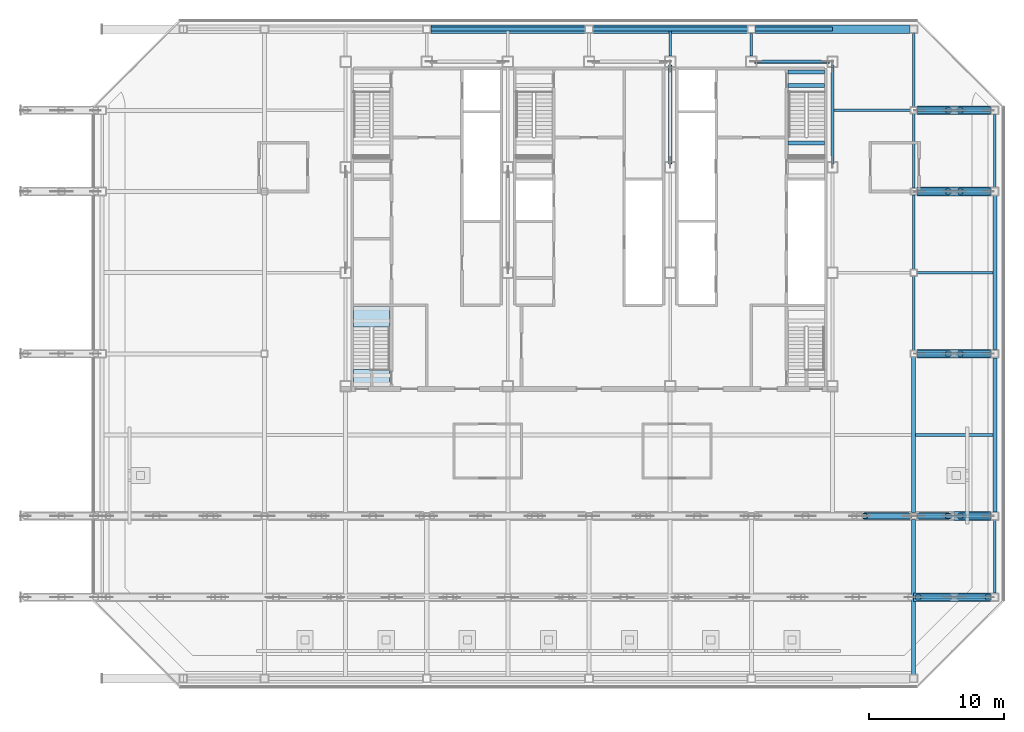
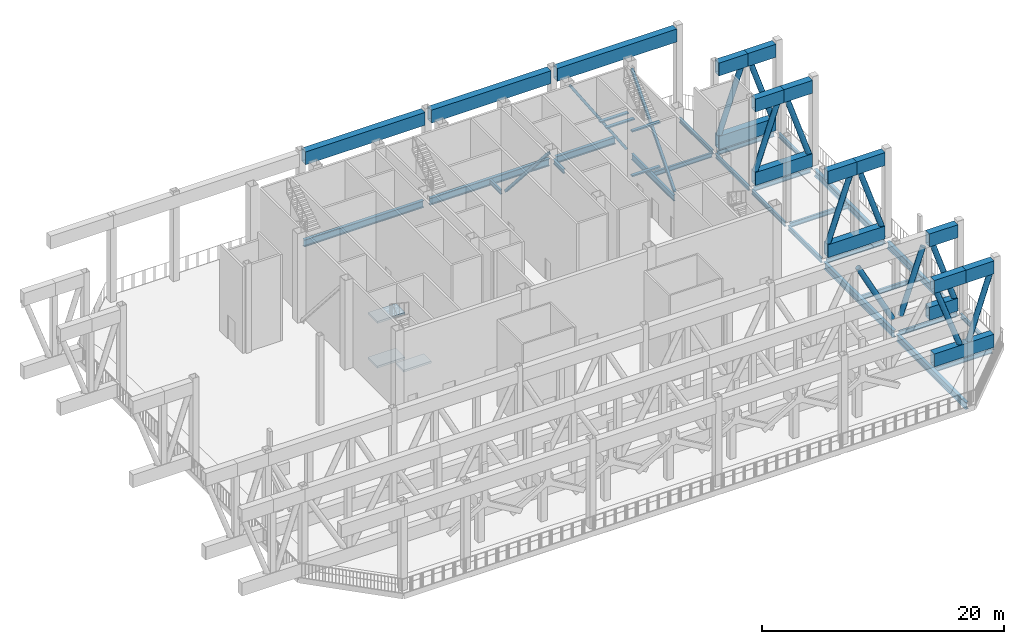
# One storey, part 5 of 22: 45 beams, 14 members, 3 slabs, 1 element without a shape of its own.
"""IFC4 building model written with IfcOpenShell, lengths in metres."""

from ifc_helpers import new_model, si_unit, direction, frame, origin, origin_2d, place, context, subcontext, project, spatial, polyline, rectangle, hollow_rectangle, hollow_circle, i_section, outline, extrude, material, layer, layer_set, material_profile, profile_set, type_object, element, aggregate, save


model = new_model("IFC4")

# Units and contexts
model_context = context("Model", 3, precision=1e-05, world=origin(), true_north=direction((0.0, 1.0)))
body_context = subcontext(model_context, "Body", "Model", "MODEL_VIEW")
ifc_project = project(units=[si_unit("LENGTHUNIT", "METRE"), si_unit("AREAUNIT", "SQUARE_METRE"), si_unit("VOLUMEUNIT", "CUBIC_METRE"), si_unit("PLANEANGLEUNIT", "RADIAN"), si_unit("MASSUNIT", "GRAM", prefix="KILO")], contexts=[model_context])

# Site, building, storey
site_placement = place(None, origin())
site = spatial("IfcSite", under=ifc_project, at=site_placement, CompositionType="ELEMENT")
building_placement = place(site_placement, origin())
building = spatial("IfcBuilding", under=site, at=building_placement, Name="Sorahane Residences", CompositionType="ELEMENT")
storey_placement = place(building_placement, frame((0.0, 0.0, 281.800048828125)))
storey = spatial("IfcBuildingStorey", under=building, at=storey_placement, Name="L67", CompositionType="ELEMENT", Elevation=281.800048828125)

# Members
ifc_material_1 = material(Name="Steel Q355B", Category="steel")
ifc_material_profile_1 = material_profile(ifc_material_1, hollow_rectangle(XDim=0.25, YDim=0.25, WallThickness=0.013916015625, InnerFilletRadius=0.007080078125, OuterFilletRadius=0.02099609375, at=origin_2d()), Name="RHS 250x250x14")
ifc_profile_set_1 = profile_set([ifc_material_profile_1], Name="Steel Q355B")
member_type_1 = type_object("IfcMemberType", Name="Core brace RHS 250x250x14 Q355B", PredefinedType="BRACE", material=ifc_profile_set_1)
member_1_placement = place(storey_placement, frame((41.662841796875, 45.60009765625, 0.0283203125), z_axis=(-0.544988350595, 0.0, 0.838443616301), x_axis=(0.0, -1.0, 0.0)))
element("IfcMember", 1, at=member_1_placement, inside=storey, type_object=member_type_1, Name="Core brace L67 y45.6-6", PredefinedType="BRACE", context=body_context, shape_type="SweptSolid", body=[
    extrude(hollow_rectangle(XDim=0.25, YDim=0.25, WallThickness=0.013916015625, InnerFilletRadius=0.007080078125, OuterFilletRadius=0.02099609375, at=origin_2d()), origin(), (0.0, 0.0, 1.0), 9.772216796875),
])
for number, where, z_axis, x_axis, name in (
    (2, (42.0, 38.1435546875, 0.060546875), (0.0, 0.658504607869, 0.752576694707), (-1.0, 0.0, 0.0), "Core brace L67 x42-3"),
    (3, (30.0, 45.25634765625, 0.060546875), (0.0, -0.658504607869, 0.752576694707), (1.0, 0.0, 0.0), "Core brace L67 x30-2"),
):
    element("IfcMember", number, at=place(storey_placement, frame(where, z_axis=z_axis, x_axis=x_axis)), inside=storey, type_object=member_type_1, Name=name, PredefinedType="BRACE", context=body_context, shape_type="SweptSolid", body=[
        extrude(hollow_rectangle(XDim=0.25, YDim=0.25, WallThickness=0.013916015625, InnerFilletRadius=0.007080078125, OuterFilletRadius=0.02099609375, at=origin_2d()), origin(), (0.0, 0.0, 1.0), 10.801513671875),
    ])

# Beams
ifc_material_2 = material(Name="Concrete C40", Category="concrete")
ifc_material_profile_2 = material_profile(ifc_material_2, rectangle(XDim=0.300048828125, YDim=0.139892578125, at=origin_2d()), Name="300x140")
ifc_profile_set_2 = profile_set([ifc_material_profile_2], Name="Concrete C40")
beam_type_1 = type_object("IfcBeamType", Name="RC landing beam 300 x 140 Concrete C40", PredefinedType="BEAM", material=ifc_profile_set_2)
for number, where, z_axis, x_axis, name in (
    (4, (38.699951171875, 39.590087890625, 1.97998046875), (1.0, 0.0, 0.0), (0.0, 1.0, 0.0), "Landing beam"),
    (5, (38.699951171875, 43.85009765625, 4.22998046875), (1.0, 0.0, 0.0), (0.0, 1.0, 0.0), "Landing beam"),
    (6, (38.699951171875, 44.85009765625, 4.22998046875), (1.0, 0.0, 0.0), (0.0, 1.0, 0.0), "Landing beam"),
    (7, (38.699951171875, 39.590087890625, 6.47998046875), (1.0, 0.0, 0.0), (0.0, 1.0, 0.0), "Landing beam"),
):
    element("IfcBeam", number, at=place(storey_placement, frame(where, z_axis=z_axis, x_axis=x_axis)), inside=storey, type_object=beam_type_1, Name=name, PredefinedType="BEAM", context=body_context, shape_type="SweptSolid", body=[
        extrude(rectangle(XDim=0.300048828125, YDim=0.139892578125, at=origin_2d()), origin(), (0.0, 0.0, 1.0), 2.699951171875),
    ])
ifc_material_3 = material(Name="Steel Q355B", Category="steel")
ifc_material_profile_3 = material_profile(ifc_material_3, i_section(OverallWidth=0.199951171875, OverallDepth=0.449951171875, WebThickness=0.009033203125, FlangeThickness=0.013916015625, FilletRadius=0.02001953125, at=origin_2d()), Name="HN 450x200x9x14")
ifc_profile_set_3 = profile_set([ifc_material_profile_3], Name="Steel Q355B")
beam_type_2 = type_object("IfcBeamType", Name="Steel floor beam HN 450x200x9x14 Q355B", PredefinedType="BEAM", material=ifc_profile_set_3)
for number, where, z_axis, x_axis, name in (
    (8, (48.25, 12.0, -0.525146484375), (1.0, 0.0, 0.0), (0.0, 1.0, 0.0), "Beam L67 010"),
    (9, (48.25, 24.0, -0.525146484375), (1.0, 0.0, 0.0), (0.0, 1.0, 0.0), "Beam L67 012"),
    (10, (48.25, 36.0, -0.525146484375), (1.0, 0.0, 0.0), (0.0, 1.0, 0.0), "Beam L67 014"),
):
    element("IfcBeam", number, at=place(storey_placement, frame(where, z_axis=z_axis, x_axis=x_axis)), inside=storey, type_object=beam_type_2, Name=name, PredefinedType="BEAM", context=body_context, shape_type="SweptSolid", body=[
        extrude(i_section(OverallWidth=0.199951171875, OverallDepth=0.449951171875, WebThickness=0.009033203125, FlangeThickness=0.013916015625, FilletRadius=0.02001953125, at=origin_2d()), origin(), (0.0, 0.0, 1.0), 5.449951171875),
    ])
beam_1_placement = place(storey_placement, frame((30.0, 46.0, -0.525146484375), z_axis=(0.0, 1.0, 0.0), x_axis=(-1.0, 0.0, 0.0)))
element("IfcBeam", 11, at=beam_1_placement, inside=storey, type_object=beam_type_2, Name="Beam L67 049", PredefinedType="BEAM", context=body_context, shape_type="SweptSolid", body=[
    extrude(i_section(OverallWidth=0.199951171875, OverallDepth=0.449951171875, WebThickness=0.009033203125, FlangeThickness=0.013916015625, FilletRadius=0.02001953125, at=origin_2d()), origin(), (0.0, 0.0, 1.0), 1.85009765625),
])
beam_2_placement = place(storey_placement, frame((36.0, 46.0, -0.525146484375), z_axis=(0.0, 1.0, 0.0), x_axis=(-1.0, 0.0, 0.0)))
element("IfcBeam", 12, at=beam_2_placement, inside=storey, type_object=beam_type_2, Name="Beam L67 051", PredefinedType="BEAM", context=body_context, shape_type="SweptSolid", body=[
    extrude(i_section(OverallWidth=0.199951171875, OverallDepth=0.449951171875, WebThickness=0.009033203125, FlangeThickness=0.013916015625, FilletRadius=0.02001953125, at=origin_2d()), origin(), (0.0, 0.0, 1.0), 1.699951171875),
])
for number, where, z_axis, x_axis, name in (
    (13, (48.0, 24.25, -0.525146484375), (0.0, 1.0, 0.0), (-1.0, 0.0, 0.0), "Beam L67 058"),
    (14, (48.0, 30.25, -0.525146484375), (0.0, 1.0, 0.0), (-1.0, 0.0, 0.0), "Beam L67 059"),
    (15, (48.0, 36.25, -0.525146484375), (0.0, 1.0, 0.0), (-1.0, 0.0, 0.0), "Beam L67 060"),
):
    element("IfcBeam", number, at=place(storey_placement, frame(where, z_axis=z_axis, x_axis=x_axis)), inside=storey, type_object=beam_type_2, Name=name, PredefinedType="BEAM", context=body_context, shape_type="SweptSolid", body=[
        extrude(i_section(OverallWidth=0.199951171875, OverallDepth=0.449951171875, WebThickness=0.009033203125, FlangeThickness=0.013916015625, FilletRadius=0.02001953125, at=origin_2d()), origin(), (0.0, 0.0, 1.0), 5.5),
    ])
beam_3_placement = place(storey_placement, frame((48.0, 42.25, -0.525146484375), z_axis=(0.0, 1.0, 0.0), x_axis=(-1.0, 0.0, 0.0)))
element("IfcBeam", 16, at=beam_3_placement, inside=storey, type_object=beam_type_2, Name="Beam L67 061", PredefinedType="BEAM", context=body_context, shape_type="SweptSolid", body=[
    extrude(i_section(OverallWidth=0.199951171875, OverallDepth=0.449951171875, WebThickness=0.009033203125, FlangeThickness=0.013916015625, FilletRadius=0.02001953125, at=origin_2d()), origin(), (0.0, 0.0, 1.0), 5.449951171875),
])
for number, where, z_axis, x_axis, name in (
    (17, (54.0, 6.300048828125, -0.525146484375), (0.0, 1.0, 0.0), (-1.0, 0.0, 0.0), "Beam L67 062"),
    (18, (54.0, 36.300048828125, -0.525146484375), (0.0, 1.0, 0.0), (-1.0, 0.0, 0.0), "Beam L67 065"),
):
    element("IfcBeam", number, at=place(storey_placement, frame(where, z_axis=z_axis, x_axis=x_axis)), inside=storey, type_object=beam_type_2, Name=name, PredefinedType="BEAM", context=body_context, shape_type="SweptSolid", body=[
        extrude(i_section(OverallWidth=0.199951171875, OverallDepth=0.449951171875, WebThickness=0.009033203125, FlangeThickness=0.013916015625, FilletRadius=0.02001953125, at=origin_2d()), origin(), (0.0, 0.0, 1.0), 5.39990234375),
    ])
beam_4_placement = place(storey_placement, frame((48.14990234375, 6.0, -0.525146484375), z_axis=(1.0, 0.0, 0.0), x_axis=(0.0, 1.0, 0.0)))
element("IfcBeam", 19, at=beam_4_placement, inside=storey, type_object=beam_type_2, Name="Beam L67 074", PredefinedType="BEAM", context=body_context, shape_type="SweptSolid", body=[
    extrude(i_section(OverallWidth=0.199951171875, OverallDepth=0.449951171875, WebThickness=0.009033203125, FlangeThickness=0.013916015625, FilletRadius=0.02001953125, at=origin_2d()), origin(), (0.0, 0.0, 1.0), 5.550048828125),
])
beam_5_placement = place(storey_placement, frame((48.14990234375, 18.0, -0.525146484375), z_axis=(1.0, 0.0, 0.0), x_axis=(0.0, 1.0, 0.0)))
element("IfcBeam", 20, at=beam_5_placement, inside=storey, type_object=beam_type_2, Name="Beam L67 081", PredefinedType="BEAM", context=body_context, shape_type="SweptSolid", body=[
    extrude(i_section(OverallWidth=0.199951171875, OverallDepth=0.449951171875, WebThickness=0.009033203125, FlangeThickness=0.013916015625, FilletRadius=0.02001953125, at=origin_2d()), origin(), (0.0, 0.0, 1.0), 5.7001953125),
])
beam_6_placement = place(storey_placement, frame((48.25, 30.0, -0.525146484375), z_axis=(1.0, 0.0, 0.0), x_axis=(0.0, 1.0, 0.0)))
element("IfcBeam", 21, at=beam_6_placement, inside=storey, type_object=beam_type_2, Name="Beam L67 085", PredefinedType="BEAM", context=body_context, shape_type="SweptSolid", body=[
    extrude(i_section(OverallWidth=0.199951171875, OverallDepth=0.449951171875, WebThickness=0.009033203125, FlangeThickness=0.013916015625, FilletRadius=0.02001953125, at=origin_2d()), origin(), (0.0, 0.0, 1.0), 5.60009765625),
])
beam_7_placement = place(storey_placement, frame((42.10009765625, 42.0, -0.525146484375), z_axis=(1.0, 0.0, 0.0), x_axis=(0.0, 1.0, 0.0)))
element("IfcBeam", 22, at=beam_7_placement, inside=storey, type_object=beam_type_2, Name="Beam L67 088", PredefinedType="BEAM", context=body_context, shape_type="SweptSolid", body=[
    extrude(i_section(OverallWidth=0.199951171875, OverallDepth=0.449951171875, WebThickness=0.009033203125, FlangeThickness=0.013916015625, FilletRadius=0.02001953125, at=origin_2d()), origin(), (0.0, 0.0, 1.0), 5.64990234375),
])
beam_8_placement = place(storey_placement, frame((48.25, 42.0, -0.525146484375), z_axis=(1.0, 0.0, 0.0), x_axis=(0.0, 1.0, 0.0)))
element("IfcBeam", 23, at=beam_8_placement, inside=storey, type_object=beam_type_2, Name="Beam L67 089", PredefinedType="BEAM", context=body_context, shape_type="SweptSolid", body=[
    extrude(i_section(OverallWidth=0.199951171875, OverallDepth=0.449951171875, WebThickness=0.009033203125, FlangeThickness=0.013916015625, FilletRadius=0.02001953125, at=origin_2d()), origin(), (0.0, 0.0, 1.0), 5.449951171875),
])
ifc_material_4 = material(Name="Steel Q355B", Category="steel")
ifc_material_profile_4 = material_profile(ifc_material_4, i_section(OverallWidth=0.199951171875, OverallDepth=0.60009765625, WebThickness=0.010986328125, FlangeThickness=0.01708984375, FilletRadius=0.02392578125, at=origin_2d()), Name="HN 600x200x11x17")
ifc_profile_set_4 = profile_set([ifc_material_profile_4], Name="Steel Q355B")
beam_type_3 = type_object("IfcBeamType", Name="Steel floor beam HN 600x200x11x17 Q355B", PredefinedType="BEAM", material=ifc_profile_set_4)
beam_9_placement = place(storey_placement, frame((42.0, 38.199951171875, -0.60009765625), z_axis=(0.0, 1.0, 0.0), x_axis=(-1.0, 0.0, 0.0)))
element("IfcBeam", 24, at=beam_9_placement, inside=storey, type_object=beam_type_3, Name="Beam L67 055", PredefinedType="BEAM", context=body_context, shape_type="SweptSolid", body=[
    extrude(i_section(OverallWidth=0.199951171875, OverallDepth=0.60009765625, WebThickness=0.010986328125, FlangeThickness=0.01708984375, FilletRadius=0.02392578125, at=origin_2d()), origin(), (0.0, 0.0, 1.0), 7.0),
])
ifc_material_5 = material(Name="Steel Q355B", Category="steel")
ifc_material_profile_5 = material_profile(ifc_material_5, i_section(OverallWidth=0.300048828125, OverallDepth=0.699951171875, WebThickness=0.012939453125, FlangeThickness=0.02392578125, FilletRadius=0.028076171875, at=origin_2d()), Name="HN 700x300x13x24")
ifc_profile_set_5 = profile_set([ifc_material_profile_5], Name="Steel Q355B")
beam_type_4 = type_object("IfcBeamType", Name="Steel floor beam HN 700x300x13x24 Q355B", PredefinedType="BEAM", material=ifc_profile_set_5)
for number, where, z_axis, x_axis, name in (
    (25, (12.300048828125, 48.0, -0.650146484375), (1.0, 0.0, 0.0), (0.0, 1.0, 0.0), "Beam L67 017"),
    (26, (24.300048828125, 48.0, -0.650146484375), (1.0, 0.0, 0.0), (0.0, 1.0, 0.0), "Beam L67 018"),
):
    element("IfcBeam", number, at=place(storey_placement, frame(where, z_axis=z_axis, x_axis=x_axis)), inside=storey, type_object=beam_type_4, Name=name, PredefinedType="BEAM", context=body_context, shape_type="SweptSolid", body=[
        extrude(i_section(OverallWidth=0.300048828125, OverallDepth=0.699951171875, WebThickness=0.012939453125, FlangeThickness=0.02392578125, FilletRadius=0.028076171875, at=origin_2d()), origin(), (0.0, 0.0, 1.0), 11.39990234375),
    ])
beam_10_placement = place(storey_placement, frame((36.300048828125, 48.0, -0.650146484375), z_axis=(1.0, 0.0, 0.0), x_axis=(0.0, 1.0, 0.0)))
element("IfcBeam", 27, at=beam_10_placement, inside=storey, type_object=beam_type_4, Name="Beam L67 019", PredefinedType="BEAM", context=body_context, shape_type="SweptSolid", body=[
    extrude(i_section(OverallWidth=0.300048828125, OverallDepth=0.699951171875, WebThickness=0.012939453125, FlangeThickness=0.02392578125, FilletRadius=0.028076171875, at=origin_2d()), origin(), (0.0, 0.0, 1.0), 5.699951171875),
])
beam_11_placement = place(storey_placement, frame((48.0, 0.300048828125, -0.650146484375), z_axis=(0.0, 1.0, 0.0), x_axis=(-1.0, 0.0, 0.0)))
element("IfcBeam", 28, at=beam_11_placement, inside=storey, type_object=beam_type_4, Name="Beam L67 056", PredefinedType="BEAM", context=body_context, shape_type="SweptSolid", body=[
    extrude(i_section(OverallWidth=0.300048828125, OverallDepth=0.699951171875, WebThickness=0.012939453125, FlangeThickness=0.02392578125, FilletRadius=0.028076171875, at=origin_2d()), origin(), (0.0, 0.0, 1.0), 11.449951171875),
])
beam_12_placement = place(storey_placement, frame((48.0, 12.25, -0.650146484375), z_axis=(0.0, 1.0, 0.0), x_axis=(-1.0, 0.0, 0.0)))
element("IfcBeam", 29, at=beam_12_placement, inside=storey, type_object=beam_type_4, Name="Beam L67 057", PredefinedType="BEAM", context=body_context, shape_type="SweptSolid", body=[
    extrude(i_section(OverallWidth=0.300048828125, OverallDepth=0.699951171875, WebThickness=0.012939453125, FlangeThickness=0.02392578125, FilletRadius=0.028076171875, at=origin_2d()), origin(), (0.0, 0.0, 1.0), 11.5),
])
for number, where, z_axis, x_axis, name in (
    (30, (54.0, 12.300048828125, -0.650146484375), (0.0, 1.0, 0.0), (-1.0, 0.0, 0.0), "Beam L67 063"),
    (31, (54.0, 24.300048828125, -0.650146484375), (0.0, 1.0, 0.0), (-1.0, 0.0, 0.0), "Beam L67 064"),
):
    element("IfcBeam", number, at=place(storey_placement, frame(where, z_axis=z_axis, x_axis=x_axis)), inside=storey, type_object=beam_type_4, Name=name, PredefinedType="BEAM", context=body_context, shape_type="SweptSolid", body=[
        extrude(i_section(OverallWidth=0.300048828125, OverallDepth=0.699951171875, WebThickness=0.012939453125, FlangeThickness=0.02392578125, FilletRadius=0.028076171875, at=origin_2d()), origin(), (0.0, 0.0, 1.0), 11.39990234375),
    ])
ifc_material_6 = material(Name="Steel Q420GJ", Category="steel")
ifc_material_profile_6 = material_profile(ifc_material_6, hollow_rectangle(XDim=0.64990234375, YDim=1.300048828125, WallThickness=0.044921875, at=origin_2d()), Name="BOX 1300x650x45")
ifc_profile_set_6 = profile_set([ifc_material_profile_6], Name="Steel Q420GJ")
beam_type_5 = type_object("IfcBeamType", Name="Truss chord BOX 1300x650x45 Q420GJ", PredefinedType="BEAM", material=ifc_profile_set_6)
beam_13_placement = place(storey_placement, frame((48.0, 6.0, 0.64990234375), z_axis=(1.0, 0.0, 0.0), x_axis=(0.0, 1.0, 0.0)))
element("IfcBeam", 32, at=beam_13_placement, inside=storey, type_object=beam_type_5, Name="Truss chord L67", PredefinedType="BEAM", context=body_context, shape_type="SweptSolid", body=[
    extrude(hollow_rectangle(XDim=0.64990234375, YDim=1.300048828125, WallThickness=0.044921875, at=origin_2d()), origin(), (0.0, 0.0, 1.0), 5.699951171875),
])
beam_14_placement = place(storey_placement, frame((48.0, 6.0, 8.050048828125), z_axis=(1.0, 0.0, 0.0), x_axis=(0.0, 1.0, 0.0)))
element("IfcBeam", 33, at=beam_14_placement, inside=storey, type_object=beam_type_5, Name="Truss chord L67", PredefinedType="BEAM", context=body_context, shape_type="SweptSolid", body=[
    extrude(hollow_rectangle(XDim=0.64990234375, YDim=1.300048828125, WallThickness=0.044921875, at=origin_2d()), origin(), (0.0, 0.0, 1.0), 3.0),
])
for number, where, z_axis, x_axis, name in (
    (34, (51.0, 6.0, 8.050048828125), (1.0, 0.0, 0.0), (0.0, 1.0, 0.0), "Truss chord L67"),
    (35, (51.0, 12.0, 0.64990234375), (1.0, 0.0, 0.0), (0.0, 1.0, 0.0), "Truss chord L67"),
    (36, (51.0, 12.0, 8.050048828125), (1.0, 0.0, 0.0), (0.0, 1.0, 0.0), "Truss chord L67"),
):
    element("IfcBeam", number, at=place(storey_placement, frame(where, z_axis=z_axis, x_axis=x_axis)), inside=storey, type_object=beam_type_5, Name=name, PredefinedType="BEAM", context=body_context, shape_type="SweptSolid", body=[
        extrude(hollow_rectangle(XDim=0.64990234375, YDim=1.300048828125, WallThickness=0.044921875, at=origin_2d()), origin(), (0.0, 0.0, 1.0), 2.699951171875),
    ])
beam_15_placement = place(storey_placement, frame((48.25, 24.0, 0.64990234375), z_axis=(1.0, 0.0, 0.0), x_axis=(0.0, 1.0, 0.0)))
element("IfcBeam", 37, at=beam_15_placement, inside=storey, type_object=beam_type_5, Name="Truss chord L67", PredefinedType="BEAM", context=body_context, shape_type="SweptSolid", body=[
    extrude(hollow_rectangle(XDim=0.64990234375, YDim=1.300048828125, WallThickness=0.044921875, at=origin_2d()), origin(), (0.0, 0.0, 1.0), 5.449951171875),
])
beam_16_placement = place(storey_placement, frame((48.25, 24.0, 8.050048828125), z_axis=(1.0, 0.0, 0.0), x_axis=(0.0, 1.0, 0.0)))
element("IfcBeam", 38, at=beam_16_placement, inside=storey, type_object=beam_type_5, Name="Truss chord L67", PredefinedType="BEAM", context=body_context, shape_type="SweptSolid", body=[
    extrude(hollow_rectangle(XDim=0.64990234375, YDim=1.300048828125, WallThickness=0.044921875, at=origin_2d()), origin(), (0.0, 0.0, 1.0), 2.75),
])
beam_17_placement = place(storey_placement, frame((51.0, 24.0, 8.050048828125), z_axis=(1.0, 0.0, 0.0), x_axis=(0.0, 1.0, 0.0)))
element("IfcBeam", 39, at=beam_17_placement, inside=storey, type_object=beam_type_5, Name="Truss chord L67", PredefinedType="BEAM", context=body_context, shape_type="SweptSolid", body=[
    extrude(hollow_rectangle(XDim=0.64990234375, YDim=1.300048828125, WallThickness=0.044921875, at=origin_2d()), origin(), (0.0, 0.0, 1.0), 2.699951171875),
])
beam_18_placement = place(storey_placement, frame((48.25, 36.0, 0.64990234375), z_axis=(1.0, 0.0, 0.0), x_axis=(0.0, 1.0, 0.0)))
element("IfcBeam", 40, at=beam_18_placement, inside=storey, type_object=beam_type_5, Name="Truss chord L67", PredefinedType="BEAM", context=body_context, shape_type="SweptSolid", body=[
    extrude(hollow_rectangle(XDim=0.64990234375, YDim=1.300048828125, WallThickness=0.044921875, at=origin_2d()), origin(), (0.0, 0.0, 1.0), 5.449951171875),
])
beam_19_placement = place(storey_placement, frame((48.25, 36.0, 8.050048828125), z_axis=(1.0, 0.0, 0.0), x_axis=(0.0, 1.0, 0.0)))
element("IfcBeam", 41, at=beam_19_placement, inside=storey, type_object=beam_type_5, Name="Truss chord L67", PredefinedType="BEAM", context=body_context, shape_type="SweptSolid", body=[
    extrude(hollow_rectangle(XDim=0.64990234375, YDim=1.300048828125, WallThickness=0.044921875, at=origin_2d()), origin(), (0.0, 0.0, 1.0), 2.75),
])
beam_20_placement = place(storey_placement, frame((51.0, 36.0, 8.050048828125), z_axis=(1.0, 0.0, 0.0), x_axis=(0.0, 1.0, 0.0)))
element("IfcBeam", 42, at=beam_20_placement, inside=storey, type_object=beam_type_5, Name="Truss chord L67", PredefinedType="BEAM", context=body_context, shape_type="SweptSolid", body=[
    extrude(hollow_rectangle(XDim=0.64990234375, YDim=1.300048828125, WallThickness=0.044921875, at=origin_2d()), origin(), (0.0, 0.0, 1.0), 2.699951171875),
])
beam_21_placement = place(storey_placement, frame((48.25, 42.0, 0.64990234375), z_axis=(1.0, 0.0, 0.0), x_axis=(0.0, 1.0, 0.0)))
element("IfcBeam", 43, at=beam_21_placement, inside=storey, type_object=beam_type_5, Name="Truss chord L67", PredefinedType="BEAM", context=body_context, shape_type="SweptSolid", body=[
    extrude(hollow_rectangle(XDim=0.64990234375, YDim=1.300048828125, WallThickness=0.044921875, at=origin_2d()), origin(), (0.0, 0.0, 1.0), 5.449951171875),
])
beam_22_placement = place(storey_placement, frame((48.25, 42.0, 8.050048828125), z_axis=(1.0, 0.0, 0.0), x_axis=(0.0, 1.0, 0.0)))
element("IfcBeam", 44, at=beam_22_placement, inside=storey, type_object=beam_type_5, Name="Truss chord L67", PredefinedType="BEAM", context=body_context, shape_type="SweptSolid", body=[
    extrude(hollow_rectangle(XDim=0.64990234375, YDim=1.300048828125, WallThickness=0.044921875, at=origin_2d()), origin(), (0.0, 0.0, 1.0), 2.75),
])
beam_23_placement = place(storey_placement, frame((51.0, 42.0, 8.050048828125), z_axis=(1.0, 0.0, 0.0), x_axis=(0.0, 1.0, 0.0)))
element("IfcBeam", 45, at=beam_23_placement, inside=storey, type_object=beam_type_5, Name="Truss chord L67", PredefinedType="BEAM", context=body_context, shape_type="SweptSolid", body=[
    extrude(hollow_rectangle(XDim=0.64990234375, YDim=1.300048828125, WallThickness=0.044921875, at=origin_2d()), origin(), (0.0, 0.0, 1.0), 2.699951171875),
])
for number, where, z_axis, x_axis, name in (
    (46, (12.300048828125, 48.0, 8.050048828125), (1.0, 0.0, 0.0), (0.0, 1.0, 0.0), "Truss chord L67"),
    (47, (24.300048828125, 48.0, 8.050048828125), (1.0, 0.0, 0.0), (0.0, 1.0, 0.0), "Truss chord L67"),
    (48, (36.300048828125, 48.0, 8.050048828125), (1.0, 0.0, 0.0), (0.0, 1.0, 0.0), "Truss chord L67"),
):
    element("IfcBeam", number, at=place(storey_placement, frame(where, z_axis=z_axis, x_axis=x_axis)), inside=storey, type_object=beam_type_5, Name=name, PredefinedType="BEAM", context=body_context, shape_type="SweptSolid", body=[
        extrude(hollow_rectangle(XDim=0.64990234375, YDim=1.300048828125, WallThickness=0.044921875, at=origin_2d()), origin(), (0.0, 0.0, 1.0), 11.39990234375),
    ])

# Members
ifc_material_7 = material(Name="Steel Q420GJ", Category="steel")
ifc_material_profile_7 = material_profile(ifc_material_7, hollow_circle(Radius=0.25, WallThickness=0.02490234375, at=origin_2d()), Name="CHS 500x25")
ifc_profile_set_7 = profile_set([ifc_material_profile_7], Name="Steel Q420GJ")
member_type_2 = type_object("IfcMemberType", Name="Truss diagonal CHS 500x25 Q420GJ", PredefinedType="BRACE", material=ifc_profile_set_7)
member_2_placement = place(storey_placement, frame((48.32666015625, 6.0, 7.448974609375), z_axis=(0.340773547487, 0.0, -0.940145408612), x_axis=(0.0, 1.0, 0.0)))
element("IfcMember", 49, at=member_2_placement, inside=storey, type_object=member_type_2, Name="Truss diagonal L67", PredefinedType="BRACE", context=body_context, shape_type="SweptSolid", body=[
    extrude(hollow_circle(Radius=0.25, WallThickness=0.02490234375, at=origin_2d()), origin(), (0.0, 0.0, 1.0), 6.592529296875),
])
member_3_placement = place(storey_placement, frame((51.43505859375, 6.0, 1.25341796875), z_axis=(0.318357072553, 0.0, 0.947970872103), x_axis=(0.0, 1.0, 0.0)))
element("IfcMember", 50, at=member_3_placement, inside=storey, type_object=member_type_2, Name="Truss diagonal L67", PredefinedType="BRACE", context=body_context, shape_type="SweptSolid", body=[
    extrude(hollow_circle(Radius=0.25, WallThickness=0.02490234375, at=origin_2d()), origin(), (0.0, 0.0, 1.0), 6.532958984375),
])
member_4_placement = place(storey_placement, frame((44.369140625, 12.0, 7.462158203125), z_axis=(0.464156280788, 0.0, -0.885753321758), x_axis=(0.0, 1.0, 0.0)))
element("IfcMember", 51, at=member_4_placement, inside=storey, type_object=member_type_2, Name="Truss diagonal L67", PredefinedType="BRACE", context=body_context, shape_type="SweptSolid", body=[
    extrude(hollow_circle(Radius=0.25, WallThickness=0.02490234375, at=origin_2d()), origin(), (0.0, 0.0, 1.0), 7.027099609375),
])
member_5_placement = place(storey_placement, frame((48.432373046875, 12.0, 1.25244140625), z_axis=(0.325868964591, 0.0, 0.945414944835), x_axis=(0.0, 1.0, 0.0)))
element("IfcMember", 52, at=member_5_placement, inside=storey, type_object=member_type_2, Name="Truss diagonal L67", PredefinedType="BRACE", context=body_context, shape_type="SweptSolid", body=[
    extrude(hollow_circle(Radius=0.25, WallThickness=0.02490234375, at=origin_2d()), origin(), (0.0, 0.0, 1.0), 6.552490234375),
])
member_6_placement = place(storey_placement, frame((51.43505859375, 12.0, 7.446533203125), z_axis=(0.318357072553, 0.0, -0.947970872103), x_axis=(0.0, 1.0, 0.0)))
element("IfcMember", 53, at=member_6_placement, inside=storey, type_object=member_type_2, Name="Truss diagonal L67", PredefinedType="BRACE", context=body_context, shape_type="SweptSolid", body=[
    extrude(hollow_circle(Radius=0.25, WallThickness=0.02490234375, at=origin_2d()), origin(), (0.0, 0.0, 1.0), 6.532958984375),
])
member_7_placement = place(storey_placement, frame((48.432373046875, 24.0, 1.25244140625), z_axis=(0.325868964591, 0.0, 0.945414944835), x_axis=(0.0, 1.0, 0.0)))
element("IfcMember", 54, at=member_7_placement, inside=storey, type_object=member_type_2, Name="Truss diagonal L67", PredefinedType="BRACE", context=body_context, shape_type="SweptSolid", body=[
    extrude(hollow_circle(Radius=0.25, WallThickness=0.02490234375, at=origin_2d()), origin(), (0.0, 0.0, 1.0), 6.552490234375),
])
member_8_placement = place(storey_placement, frame((51.43505859375, 24.0, 7.446533203125), z_axis=(0.318357072553, 0.0, -0.947970872103), x_axis=(0.0, 1.0, 0.0)))
element("IfcMember", 55, at=member_8_placement, inside=storey, type_object=member_type_2, Name="Truss diagonal L67", PredefinedType="BRACE", context=body_context, shape_type="SweptSolid", body=[
    extrude(hollow_circle(Radius=0.25, WallThickness=0.02490234375, at=origin_2d()), origin(), (0.0, 0.0, 1.0), 6.532958984375),
])
member_9_placement = place(storey_placement, frame((48.432373046875, 36.0, 1.25244140625), z_axis=(0.325868964591, 0.0, 0.945414944835), x_axis=(0.0, 1.0, 0.0)))
element("IfcMember", 56, at=member_9_placement, inside=storey, type_object=member_type_2, Name="Truss diagonal L67", PredefinedType="BRACE", context=body_context, shape_type="SweptSolid", body=[
    extrude(hollow_circle(Radius=0.25, WallThickness=0.02490234375, at=origin_2d()), origin(), (0.0, 0.0, 1.0), 6.552490234375),
])
member_10_placement = place(storey_placement, frame((51.43505859375, 36.0, 7.446533203125), z_axis=(0.318357072553, 0.0, -0.947970872103), x_axis=(0.0, 1.0, 0.0)))
element("IfcMember", 57, at=member_10_placement, inside=storey, type_object=member_type_2, Name="Truss diagonal L67", PredefinedType="BRACE", context=body_context, shape_type="SweptSolid", body=[
    extrude(hollow_circle(Radius=0.25, WallThickness=0.02490234375, at=origin_2d()), origin(), (0.0, 0.0, 1.0), 6.532958984375),
])
member_11_placement = place(storey_placement, frame((48.432373046875, 42.0, 1.25244140625), z_axis=(0.325868964591, 0.0, 0.945414944835), x_axis=(0.0, 1.0, 0.0)))
element("IfcMember", 58, at=member_11_placement, inside=storey, type_object=member_type_2, Name="Truss diagonal L67", PredefinedType="BRACE", context=body_context, shape_type="SweptSolid", body=[
    extrude(hollow_circle(Radius=0.25, WallThickness=0.02490234375, at=origin_2d()), origin(), (0.0, 0.0, 1.0), 6.552490234375),
])
member_12_placement = place(storey_placement, frame((51.43505859375, 42.0, 7.446533203125), z_axis=(0.318357072553, 0.0, -0.947970872103), x_axis=(0.0, 1.0, 0.0)))
element("IfcMember", 59, at=member_12_placement, inside=storey, type_object=member_type_2, Name="Truss diagonal L67", PredefinedType="BRACE", context=body_context, shape_type="SweptSolid", body=[
    extrude(hollow_circle(Radius=0.25, WallThickness=0.02490234375, at=origin_2d()), origin(), (0.0, 0.0, 1.0), 6.532958984375),
])

# Stair, slabs
ifc_material_8 = material(Name="Concrete C40", Category="concrete")
stair_type = type_object("IfcStairType", Name="Dog-leg stair 1250 Concrete C40", PredefinedType="HALF_TURN_STAIR", material=ifc_material_8)
stair_placement = place(storey_placement, origin())
stair = element("IfcStair", 60, at=stair_placement, inside=storey, type_object=stair_type, Name="L67 Stair S4", PredefinedType="HALF_TURN_STAIR")
ifc_material_9 = material(Name="Concrete C40", Category="concrete")
ifc_layer = layer(ifc_material_9, 0.199951171875)
ifc_layer_set = layer_set([ifc_layer], Name="Stair landing 200 Concrete C40")
slab_type = type_object("IfcSlabType", Name="Stair landing 200 Concrete C40", PredefinedType="LANDING", material=ifc_layer_set)
slab_1_placement = place(storey_placement, frame((0.0, 0.0, 2.050048828125)))
slab_1 = element("IfcSlab", 61, at=slab_1_placement, type_object=slab_type, Name="S4 landing 1", PredefinedType="LANDING", context=body_context, shape_type="SweptSolid", body=[
    extrude(outline(polyline([(9.25, 25.969970703125), (9.25, 27.5), (6.60009765625, 27.5), (6.60009765625, 25.969970703125), (9.25, 25.969970703125)])), origin(), (0.0, 0.0, 1.0), 0.199951171875),
])
slab_2_placement = place(storey_placement, frame((0.0, 0.0, 4.300048828125)))
slab_2 = element("IfcSlab", 62, at=slab_2_placement, type_object=slab_type, Name="S4 landing 2", PredefinedType="LANDING", context=body_context, shape_type="SweptSolid", body=[
    extrude(outline(polyline([(9.25, 21.60009765625), (9.25, 22.85009765625), (6.60009765625, 22.85009765625), (6.60009765625, 21.60009765625), (9.25, 21.60009765625)])), origin(), (0.0, 0.0, 1.0), 0.199951171875),
])
slab_3_placement = place(storey_placement, frame((0.0, 0.0, 6.550048828125)))
slab_3 = element("IfcSlab", 63, at=slab_3_placement, type_object=slab_type, Name="S4 landing 3", PredefinedType="LANDING", context=body_context, shape_type="SweptSolid", body=[
    extrude(outline(polyline([(9.25, 25.969970703125), (9.25, 27.5), (6.60009765625, 27.5), (6.60009765625, 25.969970703125), (9.25, 25.969970703125)])), origin(), (0.0, 0.0, 1.0), 0.199951171875),
])
aggregate(stair, [slab_1, slab_2, slab_3])

save(model, "model.ifc")
